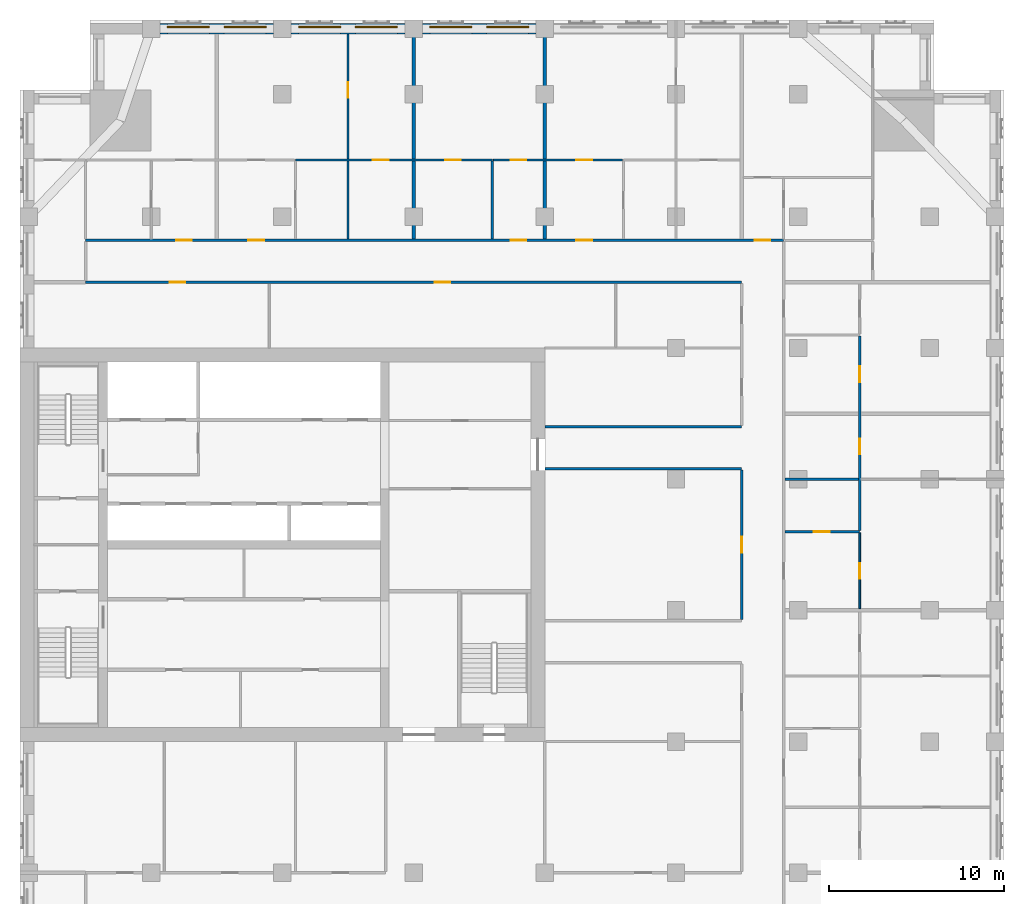
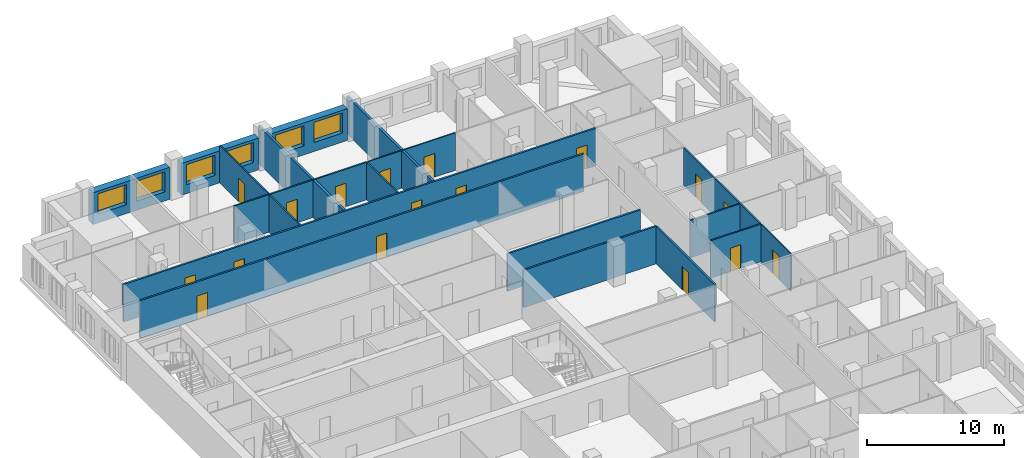
# One storey, part 9 of 13: 19 walls, 17 doors, 6 windows, 23 openings.
"""IFC4 building model written with IfcOpenShell, lengths in metres."""

from ifc_helpers import new_model, si_unit, direction, frame, frame_2d, origin, place, context, subcontext, project, spatial, rectangle, extrude, material, layer, layer_set, type_object, element, fill, save


model = new_model("IFC4")

# Units and contexts
model_context = context("Model", 3, precision=1e-05, world=origin(), true_north=direction((0.0, 1.0)))
body_context = subcontext(model_context, "Body", "Model", "MODEL_VIEW")
ifc_project = project(units=[si_unit("LENGTHUNIT", "METRE"), si_unit("AREAUNIT", "SQUARE_METRE"), si_unit("VOLUMEUNIT", "CUBIC_METRE"), si_unit("PLANEANGLEUNIT", "RADIAN"), si_unit("MASSUNIT", "GRAM", prefix="KILO")], contexts=[model_context])

# Site, building, storey
site_placement = place(None, origin())
site = spatial("IfcSite", under=ifc_project, at=site_placement, CompositionType="ELEMENT")
building_placement = place(site_placement, origin())
building = spatial("IfcBuilding", under=site, at=building_placement, Name="Tamorin Gate", CompositionType="ELEMENT")
storey_placement = place(building_placement, frame((0.0, 0.0, 130.199951171875)))
storey = spatial("IfcBuildingStorey", under=building, at=storey_placement, Name="L31", CompositionType="ELEMENT", Elevation=130.199951171875)

# Wall, openings, windows
ifc_material_1 = material(Name="Precast concrete C40/50", Category="concrete")
ifc_layer_1 = layer(ifc_material_1, 0.60009765625)
ifc_layer_set_1 = layer_set([ifc_layer_1], Name="Precast concrete C40/50")
wall_type_1 = type_object("IfcWallType", Name="Board-marked concrete facade panel 600", PredefinedType="SOLIDWALL", material=ifc_layer_set_1)
wall_1_placement = place(storey_placement, frame((59.5, 100.75, 0.0), z_axis=(0.0, 0.0, 1.0), x_axis=(-1.0, 0.0, 0.0)))
wall_1 = element("IfcWall", 1, at=wall_1_placement, inside=storey, type_object=wall_type_1, Name="Facade panel", PredefinedType="SOLIDWALL", context=body_context, shape_type="SweptSolid", body=[
    extrude(rectangle(XDim=6.5, YDim=0.60009765625, at=frame_2d((3.25, 0.0))), origin(), (0.0, 0.0, 1.0), 2.85009765625),
])
opening_1_placement = place(wall_1_placement, frame((3.675048828125, 0.0, 0.800048828125)))
opening_1 = element("IfcOpeningElement", 2, at=opening_1_placement, cuts=wall_1, Name="Opening WN1", PredefinedType="OPENING", context=body_context, shape_type="SweptSolid", body=[
    extrude(rectangle(XDim=2.39990234375, YDim=1.800048828125, at=frame_2d((1.199951171875, 0.89990234375))), frame((0.0, 0.31005859375, 0.0), z_axis=(0.0, -1.0, 0.0), x_axis=(1.0, 0.0, 0.0)), (0.0, 0.0, 1.0), 0.6201171875),
])
opening_2_placement = place(wall_1_placement, frame((0.425048828125, 0.0, 0.800048828125)))
opening_2 = element("IfcOpeningElement", 3, at=opening_2_placement, cuts=wall_1, Name="Opening WN1", PredefinedType="OPENING", context=body_context, shape_type="SweptSolid", body=[
    extrude(rectangle(XDim=2.39990234375, YDim=1.800048828125, at=frame_2d((1.199951171875, 0.89990234375))), frame((0.0, 0.31005859375, 0.0), z_axis=(0.0, -1.0, 0.0), x_axis=(1.0, 0.0, 0.0)), (0.0, 0.0, 1.0), 0.6201171875),
])
ifc_material_2 = material(Name="Clear glass in aluminium frame", Category="aluminium")
window_type = type_object("IfcWindowType", Name="Deep-set window 2400x1800", PartitioningType="SINGLE_PANEL", PredefinedType="WINDOW", material=ifc_material_2)
window_1_placement = place(opening_1_placement, origin())
window_1 = element("IfcWindow", 4, at=window_1_placement, inside=storey, type_object=window_type, Name="Deep-set window", OverallHeight=1.800048828125, OverallWidth=2.39990234375, PartitioningType="SINGLE_PANEL", PredefinedType="WINDOW", context=body_context, shape_type="SweptSolid", body=[
    extrude(rectangle(XDim=2.39990234375, YDim=1.800048828125, at=frame_2d((1.199951171875, 0.89990234375))), frame((0.0, -0.070068359375, 0.0), z_axis=(0.0, -1.0, 0.0), x_axis=(1.0, 0.0, 0.0)), (0.0, 0.0, 1.0), 0.06005859375),
])
fill(opening_1, window_1)
window_2_placement = place(opening_2_placement, origin())
window_2 = element("IfcWindow", 5, at=window_2_placement, inside=storey, type_object=window_type, Name="Deep-set window", OverallHeight=1.800048828125, OverallWidth=2.39990234375, PartitioningType="SINGLE_PANEL", PredefinedType="WINDOW", context=body_context, shape_type="SweptSolid", body=[
    extrude(rectangle(XDim=2.39990234375, YDim=1.800048828125, at=frame_2d((1.199951171875, 0.89990234375))), frame((0.0, -0.070068359375, 0.0), z_axis=(0.0, -1.0, 0.0), x_axis=(1.0, 0.0, 0.0)), (0.0, 0.0, 1.0), 0.06005859375),
])
fill(opening_2, window_2)

wall_2_placement = place(storey_placement, frame((52.0, 100.75, 0.0), z_axis=(0.0, 0.0, 1.0), x_axis=(-1.0, 0.0, 0.0)))
wall_2 = element("IfcWall", 6, at=wall_2_placement, inside=storey, type_object=wall_type_1, Name="Facade panel", PredefinedType="SOLIDWALL", context=body_context, shape_type="SweptSolid", body=[
    extrude(rectangle(XDim=6.5, YDim=0.60009765625, at=frame_2d((3.25, 0.0))), origin(), (0.0, 0.0, 1.0), 2.85009765625),
])
opening_3_placement = place(wall_2_placement, frame((3.675048828125, 0.0, 0.800048828125)))
opening_3 = element("IfcOpeningElement", 7, at=opening_3_placement, cuts=wall_2, Name="Opening WN1", PredefinedType="OPENING", context=body_context, shape_type="SweptSolid", body=[
    extrude(rectangle(XDim=2.39990234375, YDim=1.800048828125, at=frame_2d((1.199951171875, 0.89990234375))), frame((0.0, 0.31005859375, 0.0), z_axis=(0.0, -1.0, 0.0), x_axis=(1.0, 0.0, 0.0)), (0.0, 0.0, 1.0), 0.6201171875),
])
opening_4_placement = place(wall_2_placement, frame((0.425048828125, 0.0, 0.800048828125)))
opening_4 = element("IfcOpeningElement", 8, at=opening_4_placement, cuts=wall_2, Name="Opening WN1", PredefinedType="OPENING", context=body_context, shape_type="SweptSolid", body=[
    extrude(rectangle(XDim=2.39990234375, YDim=1.800048828125, at=frame_2d((1.199951171875, 0.89990234375))), frame((0.0, 0.31005859375, 0.0), z_axis=(0.0, -1.0, 0.0), x_axis=(1.0, 0.0, 0.0)), (0.0, 0.0, 1.0), 0.6201171875),
])
window_3_placement = place(opening_3_placement, origin())
window_3 = element("IfcWindow", 9, at=window_3_placement, inside=storey, type_object=window_type, Name="Deep-set window", OverallHeight=1.800048828125, OverallWidth=2.39990234375, PartitioningType="SINGLE_PANEL", PredefinedType="WINDOW", context=body_context, shape_type="SweptSolid", body=[
    extrude(rectangle(XDim=2.39990234375, YDim=1.800048828125, at=frame_2d((1.199951171875, 0.89990234375))), frame((0.0, -0.070068359375, 0.0), z_axis=(0.0, -1.0, 0.0), x_axis=(1.0, 0.0, 0.0)), (0.0, 0.0, 1.0), 0.06005859375),
])
fill(opening_3, window_3)
window_4_placement = place(opening_4_placement, origin())
window_4 = element("IfcWindow", 10, at=window_4_placement, inside=storey, type_object=window_type, Name="Deep-set window", OverallHeight=1.800048828125, OverallWidth=2.39990234375, PartitioningType="SINGLE_PANEL", PredefinedType="WINDOW", context=body_context, shape_type="SweptSolid", body=[
    extrude(rectangle(XDim=2.39990234375, YDim=1.800048828125, at=frame_2d((1.199951171875, 0.89990234375))), frame((0.0, -0.070068359375, 0.0), z_axis=(0.0, -1.0, 0.0), x_axis=(1.0, 0.0, 0.0)), (0.0, 0.0, 1.0), 0.06005859375),
])
fill(opening_4, window_4)

wall_3_placement = place(storey_placement, frame((44.5, 100.75, 0.0), z_axis=(0.0, 0.0, 1.0), x_axis=(-1.0, 0.0, 0.0)))
wall_3 = element("IfcWall", 11, at=wall_3_placement, inside=storey, type_object=wall_type_1, Name="Facade panel", PredefinedType="SOLIDWALL", context=body_context, shape_type="SweptSolid", body=[
    extrude(rectangle(XDim=6.5, YDim=0.60009765625, at=frame_2d((3.25, 0.0))), origin(), (0.0, 0.0, 1.0), 2.85009765625),
])
opening_5_placement = place(wall_3_placement, frame((3.675048828125, 0.0, 0.800048828125)))
opening_5 = element("IfcOpeningElement", 12, at=opening_5_placement, cuts=wall_3, Name="Opening WN1", PredefinedType="OPENING", context=body_context, shape_type="SweptSolid", body=[
    extrude(rectangle(XDim=2.39990234375, YDim=1.800048828125, at=frame_2d((1.199951171875, 0.89990234375))), frame((0.0, 0.31005859375, 0.0), z_axis=(0.0, -1.0, 0.0), x_axis=(1.0, 0.0, 0.0)), (0.0, 0.0, 1.0), 0.6201171875),
])
opening_6_placement = place(wall_3_placement, frame((0.425048828125, 0.0, 0.800048828125)))
opening_6 = element("IfcOpeningElement", 13, at=opening_6_placement, cuts=wall_3, Name="Opening WN1", PredefinedType="OPENING", context=body_context, shape_type="SweptSolid", body=[
    extrude(rectangle(XDim=2.39990234375, YDim=1.800048828125, at=frame_2d((1.199951171875, 0.89990234375))), frame((0.0, 0.31005859375, 0.0), z_axis=(0.0, -1.0, 0.0), x_axis=(1.0, 0.0, 0.0)), (0.0, 0.0, 1.0), 0.6201171875),
])
window_5_placement = place(opening_5_placement, origin())
window_5 = element("IfcWindow", 14, at=window_5_placement, inside=storey, type_object=window_type, Name="Deep-set window", OverallHeight=1.800048828125, OverallWidth=2.39990234375, PartitioningType="SINGLE_PANEL", PredefinedType="WINDOW", context=body_context, shape_type="SweptSolid", body=[
    extrude(rectangle(XDim=2.39990234375, YDim=1.800048828125, at=frame_2d((1.199951171875, 0.89990234375))), frame((0.0, -0.070068359375, 0.0), z_axis=(0.0, -1.0, 0.0), x_axis=(1.0, 0.0, 0.0)), (0.0, 0.0, 1.0), 0.06005859375),
])
fill(opening_5, window_5)
window_6_placement = place(opening_6_placement, origin())
window_6 = element("IfcWindow", 15, at=window_6_placement, inside=storey, type_object=window_type, Name="Deep-set window", OverallHeight=1.800048828125, OverallWidth=2.39990234375, PartitioningType="SINGLE_PANEL", PredefinedType="WINDOW", context=body_context, shape_type="SweptSolid", body=[
    extrude(rectangle(XDim=2.39990234375, YDim=1.800048828125, at=frame_2d((1.199951171875, 0.89990234375))), frame((0.0, -0.070068359375, 0.0), z_axis=(0.0, -1.0, 0.0), x_axis=(1.0, 0.0, 0.0)), (0.0, 0.0, 1.0), 0.06005859375),
])
fill(opening_6, window_6)

# Wall, openings, doors
ifc_material_3 = material(Name="Gypsum board partition")
ifc_layer_2 = layer(ifc_material_3, 0.14990234375)
ifc_layer_set_2 = layer_set([ifc_layer_2], Name="Corridor wall 150")
wall_type_2 = type_object("IfcWallType", Name="Corridor wall 150", PredefinedType="PARTITIONING", material=ifc_layer_set_2)
wall_4_placement = place(storey_placement, frame((33.75, 86.25, 0.0), z_axis=(0.0, 0.0, 1.0), x_axis=(1.0, 0.0, 0.0)))
wall_4 = element("IfcWall", 16, at=wall_4_placement, inside=storey, type_object=wall_type_2, Name="Corridor wall 150", PredefinedType="PARTITIONING", context=body_context, shape_type="SweptSolid", body=[
    extrude(rectangle(XDim=37.5, YDim=0.14990234375, at=frame_2d((18.75, 0.0))), origin(), (0.0, 0.0, 1.0), 3.35009765625),
])
opening_7_placement = place(wall_4_placement, frame((4.800048828125, 0.0, 0.0)))
opening_7 = element("IfcOpeningElement", 17, at=opening_7_placement, cuts=wall_4, Name="Opening DS1067", PredefinedType="OPENING", context=body_context, shape_type="SweptSolid", body=[
    extrude(rectangle(XDim=0.89990234375, YDim=2.10009765625, at=frame_2d((0.449951171875, 1.050048828125))), frame((0.0, 0.0849609375, 0.0), z_axis=(0.0, -1.0, 0.0), x_axis=(1.0, 0.0, 0.0)), (0.0, 0.0, 1.0), 0.169921875),
])
opening_8_placement = place(wall_4_placement, frame((19.949951171875, 0.0, 0.0)))
opening_8 = element("IfcOpeningElement", 18, at=opening_8_placement, cuts=wall_4, Name="Opening DS1068", PredefinedType="OPENING", context=body_context, shape_type="SweptSolid", body=[
    extrude(rectangle(XDim=0.89990234375, YDim=2.10009765625, at=frame_2d((0.449951171875, 1.050048828125))), frame((0.0, 0.0849609375, 0.0), z_axis=(0.0, -1.0, 0.0), x_axis=(1.0, 0.0, 0.0)), (0.0, 0.0, 1.0), 0.169921875),
])
ifc_material_4 = material(Name="Timber door leaf", Category="wood")
door_type_1 = type_object("IfcDoorType", Name="Door 900 x 2100 FD30S", OperationType="NOTDEFINED", PredefinedType="DOOR", material=ifc_material_4)
door_1_placement = place(opening_7_placement, origin())
door_1 = element("IfcDoor", 19, at=door_1_placement, inside=storey, type_object=door_type_1, Name="Door DS1067", OperationType="SINGLE_SWING_RIGHT", OverallHeight=2.10009765625, OverallWidth=0.89990234375, PredefinedType="DOOR", context=body_context, shape_type="SweptSolid", body=[
    extrude(rectangle(XDim=0.89990234375, YDim=2.10009765625, at=frame_2d((0.449951171875, 1.050048828125))), frame((0.0, 0.02490234375, 0.0), z_axis=(0.0, -1.0, 0.0), x_axis=(1.0, 0.0, 0.0)), (0.0, 0.0, 1.0), 0.050048828125),
])
fill(opening_7, door_1)
door_2_placement = place(opening_8_placement, origin())
door_2 = element("IfcDoor", 20, at=door_2_placement, inside=storey, type_object=door_type_1, Name="Door DS1068", OperationType="SINGLE_SWING_RIGHT", OverallHeight=2.10009765625, OverallWidth=0.89990234375, PredefinedType="DOOR", context=body_context, shape_type="SweptSolid", body=[
    extrude(rectangle(XDim=0.89990234375, YDim=2.10009765625, at=frame_2d((0.449951171875, 1.050048828125))), frame((0.0, 0.02490234375, 0.0), z_axis=(0.0, -1.0, 0.0), x_axis=(1.0, 0.0, 0.0)), (0.0, 0.0, 1.0), 0.050048828125),
])
fill(opening_8, door_2)

wall_5_placement = place(storey_placement, frame((33.75, 88.64990234375, 0.0), z_axis=(0.0, 0.0, 1.0), x_axis=(1.0, 0.0, 0.0)))
wall_5 = element("IfcWall", 21, at=wall_5_placement, inside=storey, type_object=wall_type_2, Name="Corridor wall 150", PredefinedType="PARTITIONING", context=body_context, shape_type="SweptSolid", body=[
    extrude(rectangle(XDim=39.89990234375, YDim=0.14990234375, at=frame_2d((19.949951171875, 0.0))), origin(), (0.0, 0.0, 1.0), 3.35009765625),
])
opening_9_placement = place(wall_5_placement, frame((5.175048828125, 0.0, 0.0)))
opening_9 = element("IfcOpeningElement", 22, at=opening_9_placement, cuts=wall_5, Name="Opening DS1021", PredefinedType="OPENING", context=body_context, shape_type="SweptSolid", body=[
    extrude(rectangle(XDim=0.89990234375, YDim=2.10009765625, at=frame_2d((0.449951171875, 1.050048828125))), frame((0.0, 0.0849609375, 0.0), z_axis=(0.0, -1.0, 0.0), x_axis=(1.0, 0.0, 0.0)), (0.0, 0.0, 1.0), 0.169921875),
])
opening_10_placement = place(wall_5_placement, frame((9.300048828125, 0.0, 0.0)))
opening_10 = element("IfcOpeningElement", 23, at=opening_10_placement, cuts=wall_5, Name="Opening DS1023", PredefinedType="OPENING", context=body_context, shape_type="SweptSolid", body=[
    extrude(rectangle(XDim=0.89990234375, YDim=2.10009765625, at=frame_2d((0.449951171875, 1.050048828125))), frame((0.0, 0.0849609375, 0.0), z_axis=(0.0, -1.0, 0.0), x_axis=(1.0, 0.0, 0.0)), (0.0, 0.0, 1.0), 0.169921875),
])
opening_11_placement = place(wall_5_placement, frame((24.300048828125, 0.0, 0.0)))
opening_11 = element("IfcOpeningElement", 24, at=opening_11_placement, cuts=wall_5, Name="Opening DS1029", PredefinedType="OPENING", context=body_context, shape_type="SweptSolid", body=[
    extrude(rectangle(XDim=0.89990234375, YDim=2.10009765625, at=frame_2d((0.449951171875, 1.050048828125))), frame((0.0, 0.0849609375, 0.0), z_axis=(0.0, -1.0, 0.0), x_axis=(1.0, 0.0, 0.0)), (0.0, 0.0, 1.0), 0.169921875),
])
opening_12_placement = place(wall_5_placement, frame((28.050048828125, 0.0, 0.0)))
opening_12 = element("IfcOpeningElement", 25, at=opening_12_placement, cuts=wall_5, Name="Opening DS1031", PredefinedType="OPENING", context=body_context, shape_type="SweptSolid", body=[
    extrude(rectangle(XDim=0.89990234375, YDim=2.10009765625, at=frame_2d((0.449951171875, 1.050048828125))), frame((0.0, 0.0849609375, 0.0), z_axis=(0.0, -1.0, 0.0), x_axis=(1.0, 0.0, 0.0)), (0.0, 0.0, 1.0), 0.169921875),
])
opening_13_placement = place(wall_5_placement, frame((38.25, 0.0, 0.0)))
opening_13 = element("IfcOpeningElement", 26, at=opening_13_placement, cuts=wall_5, Name="Opening DS1057", PredefinedType="OPENING", context=body_context, shape_type="SweptSolid", body=[
    extrude(rectangle(XDim=0.89990234375, YDim=2.10009765625, at=frame_2d((0.449951171875, 1.050048828125))), frame((0.0, 0.0849609375, 0.0), z_axis=(0.0, -1.0, 0.0), x_axis=(1.0, 0.0, 0.0)), (0.0, 0.0, 1.0), 0.169921875),
])
door_3_placement = place(opening_9_placement, origin())
door_3 = element("IfcDoor", 27, at=door_3_placement, inside=storey, type_object=door_type_1, Name="Door DS1021", OperationType="SINGLE_SWING_LEFT", OverallHeight=2.10009765625, OverallWidth=0.89990234375, PredefinedType="DOOR", context=body_context, shape_type="SweptSolid", body=[
    extrude(rectangle(XDim=0.89990234375, YDim=2.10009765625, at=frame_2d((0.449951171875, 1.050048828125))), frame((0.0, 0.02490234375, 0.0), z_axis=(0.0, -1.0, 0.0), x_axis=(1.0, 0.0, 0.0)), (0.0, 0.0, 1.0), 0.050048828125),
])
fill(opening_9, door_3)
door_4_placement = place(opening_10_placement, origin())
door_4 = element("IfcDoor", 28, at=door_4_placement, inside=storey, type_object=door_type_1, Name="Door DS1023", OperationType="SINGLE_SWING_LEFT", OverallHeight=2.10009765625, OverallWidth=0.89990234375, PredefinedType="DOOR", context=body_context, shape_type="SweptSolid", body=[
    extrude(rectangle(XDim=0.89990234375, YDim=2.10009765625, at=frame_2d((0.449951171875, 1.050048828125))), frame((0.0, 0.02490234375, 0.0), z_axis=(0.0, -1.0, 0.0), x_axis=(1.0, 0.0, 0.0)), (0.0, 0.0, 1.0), 0.050048828125),
])
fill(opening_10, door_4)
door_5_placement = place(opening_11_placement, origin())
door_5 = element("IfcDoor", 29, at=door_5_placement, inside=storey, type_object=door_type_1, Name="Door DS1029", OperationType="SINGLE_SWING_LEFT", OverallHeight=2.10009765625, OverallWidth=0.89990234375, PredefinedType="DOOR", context=body_context, shape_type="SweptSolid", body=[
    extrude(rectangle(XDim=0.89990234375, YDim=2.10009765625, at=frame_2d((0.449951171875, 1.050048828125))), frame((0.0, 0.02490234375, 0.0), z_axis=(0.0, -1.0, 0.0), x_axis=(1.0, 0.0, 0.0)), (0.0, 0.0, 1.0), 0.050048828125),
])
fill(opening_11, door_5)
door_6_placement = place(opening_12_placement, origin())
door_6 = element("IfcDoor", 30, at=door_6_placement, inside=storey, type_object=door_type_1, Name="Door DS1031", OperationType="SINGLE_SWING_LEFT", OverallHeight=2.10009765625, OverallWidth=0.89990234375, PredefinedType="DOOR", context=body_context, shape_type="SweptSolid", body=[
    extrude(rectangle(XDim=0.89990234375, YDim=2.10009765625, at=frame_2d((0.449951171875, 1.050048828125))), frame((0.0, 0.02490234375, 0.0), z_axis=(0.0, -1.0, 0.0), x_axis=(1.0, 0.0, 0.0)), (0.0, 0.0, 1.0), 0.050048828125),
])
fill(opening_12, door_6)
door_7_placement = place(opening_13_placement, origin())
door_7 = element("IfcDoor", 31, at=door_7_placement, inside=storey, type_object=door_type_1, Name="Door DS1057", OperationType="SINGLE_SWING_RIGHT", OverallHeight=2.10009765625, OverallWidth=0.89990234375, PredefinedType="DOOR", context=body_context, shape_type="SweptSolid", body=[
    extrude(rectangle(XDim=0.89990234375, YDim=2.10009765625, at=frame_2d((0.449951171875, 1.050048828125))), frame((0.0, 0.02490234375, 0.0), z_axis=(0.0, -1.0, 0.0), x_axis=(1.0, 0.0, 0.0)), (0.0, 0.0, 1.0), 0.050048828125),
])
fill(opening_13, door_7)

# Wall, opening, door
wall_6_placement = place(storey_placement, frame((71.25, 66.97509765625, 0.0), z_axis=(0.0, 0.0, 1.0), x_axis=(0.0, 1.0, 0.0)))
wall_6 = element("IfcWall", 32, at=wall_6_placement, inside=storey, type_object=wall_type_2, Name="Corridor wall 150", PredefinedType="PARTITIONING", context=body_context, shape_type="SweptSolid", body=[
    extrude(rectangle(XDim=8.5498046875, YDim=0.14990234375, at=frame_2d((4.27490234375, 0.0))), origin(), (0.0, 0.0, 1.0), 3.35009765625),
])
opening_14_placement = place(wall_6_placement, frame((3.824951171875, 0.0, 0.0)))
opening_14 = element("IfcOpeningElement", 33, at=opening_14_placement, cuts=wall_6, Name="Opening DS1071", PredefinedType="OPENING", context=body_context, shape_type="SweptSolid", body=[
    extrude(rectangle(XDim=0.89990234375, YDim=2.10009765625, at=frame_2d((0.449951171875, 1.050048828125))), frame((0.0, 0.0849609375, 0.0), z_axis=(0.0, -1.0, 0.0), x_axis=(1.0, 0.0, 0.0)), (0.0, 0.0, 1.0), 0.169921875),
])
door_8_placement = place(opening_14_placement, origin())
door_8 = element("IfcDoor", 34, at=door_8_placement, inside=storey, type_object=door_type_1, Name="Door DS1071", OperationType="SINGLE_SWING_LEFT", OverallHeight=2.10009765625, OverallWidth=0.89990234375, PredefinedType="DOOR", context=body_context, shape_type="SweptSolid", body=[
    extrude(rectangle(XDim=0.89990234375, YDim=2.10009765625, at=frame_2d((0.449951171875, 1.050048828125))), frame((0.0, 0.02490234375, 0.0), z_axis=(0.0, -1.0, 0.0), x_axis=(1.0, 0.0, 0.0)), (0.0, 0.0, 1.0), 0.050048828125),
])
fill(opening_14, door_8)

# Walls
ifc_layer_3 = layer(ifc_material_3, 0.199951171875)
ifc_layer_set_3 = layer_set([ifc_layer_3], Name="Demising wall 200")
wall_type_3 = type_object("IfcWallType", Name="Demising wall 200", PredefinedType="PARTITIONING", material=ifc_layer_set_3)
for number, where, z_axis, x_axis, name in (
    (35, (52.5, 88.72509765625, 0.0), (0.0, 0.0, 1.0), (0.0, 1.0, 0.0), "Demising wall 200"),
    (36, (60.0, 88.72509765625, 0.0), (0.0, 0.0, 1.0), (0.0, 1.0, 0.0), "Demising wall 200"),
):
    element("IfcWall", number, at=place(storey_placement, frame(where, z_axis=z_axis, x_axis=x_axis)), inside=storey, type_object=wall_type_3, Name=name, PredefinedType="PARTITIONING", context=body_context, shape_type="SweptSolid", body=[
        extrude(rectangle(XDim=12.52490234375, YDim=0.199951171875, at=frame_2d((6.262451171875, 0.0))), origin(), (0.0, 0.0, 1.0), 3.35009765625),
    ])
ifc_layer_4 = layer(ifc_material_3, 0.14990234375)
ifc_layer_set_4 = layer_set([ifc_layer_4], Name="Lobby wall 150")
wall_type_4 = type_object("IfcWallType", Name="Lobby wall 150", PredefinedType="PARTITIONING", material=ifc_layer_set_4)
for number, where, z_axis, x_axis, name in (
    (37, (60.0, 75.60009765625, 0.0), (0.0, 0.0, 1.0), (1.0, 0.0, 0.0), "Lobby wall 150"),
    (38, (60.0, 78.0, 0.0), (0.0, 0.0, 1.0), (1.0, 0.0, 0.0), "Lobby wall 150"),
):
    element("IfcWall", number, at=place(storey_placement, frame(where, z_axis=z_axis, x_axis=x_axis)), inside=storey, type_object=wall_type_4, Name=name, PredefinedType="PARTITIONING", context=body_context, shape_type="SweptSolid", body=[
        extrude(rectangle(XDim=11.25, YDim=0.14990234375, at=frame_2d((5.625, 0.0))), origin(), (0.0, 0.0, 1.0), 3.35009765625),
    ])

# Wall, openings, doors
ifc_layer_5 = layer(ifc_material_3, 0.10009765625)
ifc_layer_set_5 = layer_set([ifc_layer_5], Name="Room partition 100")
wall_type_5 = type_object("IfcWallType", Name="Room partition 100", PredefinedType="PARTITIONING", material=ifc_layer_set_5)
wall_7_placement = place(storey_placement, frame((57.0625, 93.25, 0.0), z_axis=(0.0, 0.0, 1.0), x_axis=(1.0, 0.0, 0.0)))
wall_7 = element("IfcWall", 39, at=wall_7_placement, inside=storey, type_object=wall_type_5, Name="Room partition 100", PredefinedType="PARTITIONING", context=body_context, shape_type="SweptSolid", body=[
    extrude(rectangle(XDim=7.375, YDim=0.10009765625, at=frame_2d((3.6875, 0.0))), origin(), (0.0, 0.0, 1.0), 3.35009765625),
])
opening_15_placement = place(wall_7_placement, frame((0.987548828125, 0.0, 0.0)))
opening_15 = element("IfcOpeningElement", 40, at=opening_15_placement, cuts=wall_7, Name="Opening DS1030", PredefinedType="OPENING", context=body_context, shape_type="SweptSolid", body=[
    extrude(rectangle(XDim=0.89990234375, YDim=2.10009765625, at=frame_2d((0.449951171875, 1.050048828125))), frame((0.0, 0.06005859375, 0.0), z_axis=(0.0, -1.0, 0.0), x_axis=(1.0, 0.0, 0.0)), (0.0, 0.0, 1.0), 0.1201171875),
])
opening_16_placement = place(wall_7_placement, frame((4.737548828125, 0.0, 0.0)))
opening_16 = element("IfcOpeningElement", 41, at=opening_16_placement, cuts=wall_7, Name="Opening DS1032", PredefinedType="OPENING", context=body_context, shape_type="SweptSolid", body=[
    extrude(rectangle(XDim=0.89990234375, YDim=2.10009765625, at=frame_2d((0.449951171875, 1.050048828125))), frame((0.0, 0.06005859375, 0.0), z_axis=(0.0, -1.0, 0.0), x_axis=(1.0, 0.0, 0.0)), (0.0, 0.0, 1.0), 0.1201171875),
])
door_type_2 = type_object("IfcDoorType", Name="Door 900 x 2100", OperationType="NOTDEFINED", PredefinedType="DOOR", material=ifc_material_4)
door_9_placement = place(opening_15_placement, origin())
door_9 = element("IfcDoor", 42, at=door_9_placement, inside=storey, type_object=door_type_2, Name="Door DS1030", OperationType="SINGLE_SWING_RIGHT", OverallHeight=2.10009765625, OverallWidth=0.89990234375, PredefinedType="DOOR", context=body_context, shape_type="SweptSolid", body=[
    extrude(rectangle(XDim=0.89990234375, YDim=2.10009765625, at=frame_2d((0.449951171875, 1.050048828125))), frame((0.0, 0.02490234375, 0.0), z_axis=(0.0, -1.0, 0.0), x_axis=(1.0, 0.0, 0.0)), (0.0, 0.0, 1.0), 0.050048828125),
])
fill(opening_15, door_9)
door_10_placement = place(opening_16_placement, origin())
door_10 = element("IfcDoor", 43, at=door_10_placement, inside=storey, type_object=door_type_2, Name="Door DS1032", OperationType="SINGLE_SWING_RIGHT", OverallHeight=2.10009765625, OverallWidth=0.89990234375, PredefinedType="DOOR", context=body_context, shape_type="SweptSolid", body=[
    extrude(rectangle(XDim=0.89990234375, YDim=2.10009765625, at=frame_2d((0.449951171875, 1.050048828125))), frame((0.0, 0.02490234375, 0.0), z_axis=(0.0, -1.0, 0.0), x_axis=(1.0, 0.0, 0.0)), (0.0, 0.0, 1.0), 0.050048828125),
])
fill(opening_16, door_10)

# Wall, opening, door
wall_8_placement = place(storey_placement, frame((48.75, 93.3125, 0.0), z_axis=(0.0, 0.0, 1.0), x_axis=(0.0, 1.0, 0.0)))
wall_8 = element("IfcWall", 44, at=wall_8_placement, inside=storey, type_object=wall_type_5, Name="Room partition 100", PredefinedType="PARTITIONING", context=body_context, shape_type="SweptSolid", body=[
    extrude(rectangle(XDim=7.12744140625, YDim=0.10009765625, at=frame_2d((3.563720703125, 0.0))), origin(), (0.0, 0.0, 1.0), 3.35009765625),
])
opening_17_placement = place(wall_8_placement, frame((3.487548828125, 0.0, 0.0)))
opening_17 = element("IfcOpeningElement", 45, at=opening_17_placement, cuts=wall_8, Name="Opening DS1027", PredefinedType="OPENING", context=body_context, shape_type="SweptSolid", body=[
    extrude(rectangle(XDim=0.89990234375, YDim=2.10009765625, at=frame_2d((0.449951171875, 1.050048828125))), frame((0.0, 0.06005859375, 0.0), z_axis=(0.0, -1.0, 0.0), x_axis=(1.0, 0.0, 0.0)), (0.0, 0.0, 1.0), 0.1201171875),
])
door_11_placement = place(opening_17_placement, origin())
door_11 = element("IfcDoor", 46, at=door_11_placement, inside=storey, type_object=door_type_2, Name="Door DS1027", OperationType="SINGLE_SWING_LEFT", OverallHeight=2.10009765625, OverallWidth=0.89990234375, PredefinedType="DOOR", context=body_context, shape_type="SweptSolid", body=[
    extrude(rectangle(XDim=0.89990234375, YDim=2.10009765625, at=frame_2d((0.449951171875, 1.050048828125))), frame((0.0, 0.02490234375, 0.0), z_axis=(0.0, -1.0, 0.0), x_axis=(1.0, 0.0, 0.0)), (0.0, 0.0, 1.0), 0.050048828125),
])
fill(opening_17, door_11)

wall_9_placement = place(storey_placement, frame((78.0, 67.60009765625, 0.0), z_axis=(0.0, 0.0, 1.0), x_axis=(0.0, 1.0, 0.0)))
wall_9 = element("IfcWall", 47, at=wall_9_placement, inside=storey, type_object=wall_type_5, Name="Room partition 100", PredefinedType="PARTITIONING", context=body_context, shape_type="SweptSolid", body=[
    extrude(rectangle(XDim=4.33740234375, YDim=0.10009765625, at=frame_2d((2.168701171875, 0.0))), origin(), (0.0, 0.0, 1.0), 3.35009765625),
])
opening_18_placement = place(wall_9_placement, frame((1.699951171875, 0.0, 0.0)))
opening_18 = element("IfcOpeningElement", 48, at=opening_18_placement, cuts=wall_9, Name="Opening DS1044", PredefinedType="OPENING", context=body_context, shape_type="SweptSolid", body=[
    extrude(rectangle(XDim=0.89990234375, YDim=2.10009765625, at=frame_2d((0.449951171875, 1.050048828125))), frame((0.0, 0.06005859375, 0.0), z_axis=(0.0, -1.0, 0.0), x_axis=(1.0, 0.0, 0.0)), (0.0, 0.0, 1.0), 0.1201171875),
])
door_12_placement = place(opening_18_placement, origin())
door_12 = element("IfcDoor", 49, at=door_12_placement, inside=storey, type_object=door_type_2, Name="Door DS1044", OperationType="SINGLE_SWING_LEFT", OverallHeight=2.10009765625, OverallWidth=0.89990234375, PredefinedType="DOOR", context=body_context, shape_type="SweptSolid", body=[
    extrude(rectangle(XDim=0.89990234375, YDim=2.10009765625, at=frame_2d((0.449951171875, 1.050048828125))), frame((0.0, 0.02490234375, 0.0), z_axis=(0.0, -1.0, 0.0), x_axis=(1.0, 0.0, 0.0)), (0.0, 0.0, 1.0), 0.050048828125),
])
fill(opening_18, door_12)

ifc_layer_6 = layer(ifc_material_3, 0.125)
ifc_layer_set_6 = layer_set([ifc_layer_6], Name="Wet wall 125")
wall_type_6 = type_object("IfcWallType", Name="Wet wall 125", PredefinedType="PARTITIONING", material=ifc_layer_set_6)
wall_10_placement = place(storey_placement, frame((73.72509765625, 72.0, 0.0), z_axis=(0.0, 0.0, 1.0), x_axis=(1.0, 0.0, 0.0)))
wall_10 = element("IfcWall", 50, at=wall_10_placement, inside=storey, type_object=wall_type_6, Name="Wet wall 125", PredefinedType="PARTITIONING", context=body_context, shape_type="SweptSolid", body=[
    extrude(rectangle(XDim=4.27490234375, YDim=0.125, at=frame_2d((2.137451171875, 0.0))), origin(), (0.0, 0.0, 1.0), 3.35009765625),
])
opening_19_placement = place(wall_10_placement, frame((1.64990234375, 0.0, 0.0)))
opening_19 = element("IfcOpeningElement", 51, at=opening_19_placement, cuts=wall_10, Name="Opening DS1045", PredefinedType="OPENING", context=body_context, shape_type="SweptSolid", body=[
    extrude(rectangle(XDim=0.89990234375, YDim=2.10009765625, at=frame_2d((0.449951171875, 1.050048828125))), frame((0.0, 0.072509765625, 0.0), z_axis=(0.0, -1.0, 0.0), x_axis=(1.0, 0.0, 0.0)), (0.0, 0.0, 1.0), 0.14501953125),
])
door_13_placement = place(opening_19_placement, origin())
door_13 = element("IfcDoor", 52, at=door_13_placement, inside=storey, type_object=door_type_2, Name="Door DS1045", OperationType="SINGLE_SWING_RIGHT", OverallHeight=2.10009765625, OverallWidth=0.89990234375, PredefinedType="DOOR", context=body_context, shape_type="SweptSolid", body=[
    extrude(rectangle(XDim=0.89990234375, YDim=2.10009765625, at=frame_2d((0.449951171875, 1.050048828125))), frame((0.0, 0.02490234375, 0.0), z_axis=(0.0, -1.0, 0.0), x_axis=(1.0, 0.0, 0.0)), (0.0, 0.0, 1.0), 0.050048828125),
])
fill(opening_19, door_13)

# Wall
wall_11_placement = place(storey_placement, frame((73.72509765625, 75.0, 0.0), z_axis=(0.0, 0.0, 1.0), x_axis=(1.0, 0.0, 0.0)))
element("IfcWall", 53, at=wall_11_placement, inside=storey, type_object=wall_type_6, Name="Wet wall 125", PredefinedType="PARTITIONING", context=body_context, shape_type="SweptSolid", body=[
    extrude(rectangle(XDim=4.21240234375, YDim=0.125, at=frame_2d((2.106201171875, 0.0))), origin(), (0.0, 0.0, 1.0), 3.35009765625),
])

# Wall, openings, doors
wall_12_placement = place(storey_placement, frame((45.75, 93.25, 0.0), z_axis=(0.0, 0.0, 1.0), x_axis=(1.0, 0.0, 0.0)))
wall_12 = element("IfcWall", 54, at=wall_12_placement, inside=storey, type_object=wall_type_6, Name="Wet wall 125", PredefinedType="PARTITIONING", context=body_context, shape_type="SweptSolid", body=[
    extrude(rectangle(XDim=11.25, YDim=0.125, at=frame_2d((5.625, 0.0))), origin(), (0.0, 0.0, 1.0), 3.35009765625),
])
opening_20_placement = place(wall_12_placement, frame((4.425048828125, 0.0, 0.0)))
opening_20 = element("IfcOpeningElement", 55, at=opening_20_placement, cuts=wall_12, Name="Opening DS1026", PredefinedType="OPENING", context=body_context, shape_type="SweptSolid", body=[
    extrude(rectangle(XDim=0.89990234375, YDim=2.10009765625, at=frame_2d((0.449951171875, 1.050048828125))), frame((0.0, 0.072509765625, 0.0), z_axis=(0.0, -1.0, 0.0), x_axis=(1.0, 0.0, 0.0)), (0.0, 0.0, 1.0), 0.14501953125),
])
opening_21_placement = place(wall_12_placement, frame((8.550048828125, 0.0, 0.0)))
opening_21 = element("IfcOpeningElement", 56, at=opening_21_placement, cuts=wall_12, Name="Opening DS1028", PredefinedType="OPENING", context=body_context, shape_type="SweptSolid", body=[
    extrude(rectangle(XDim=0.89990234375, YDim=2.10009765625, at=frame_2d((0.449951171875, 1.050048828125))), frame((0.0, 0.072509765625, 0.0), z_axis=(0.0, -1.0, 0.0), x_axis=(1.0, 0.0, 0.0)), (0.0, 0.0, 1.0), 0.14501953125),
])
door_14_placement = place(opening_20_placement, origin())
door_14 = element("IfcDoor", 57, at=door_14_placement, inside=storey, type_object=door_type_2, Name="Door DS1026", OperationType="SINGLE_SWING_RIGHT", OverallHeight=2.10009765625, OverallWidth=0.89990234375, PredefinedType="DOOR", context=body_context, shape_type="SweptSolid", body=[
    extrude(rectangle(XDim=0.89990234375, YDim=2.10009765625, at=frame_2d((0.449951171875, 1.050048828125))), frame((0.0, 0.02490234375, 0.0), z_axis=(0.0, -1.0, 0.0), x_axis=(1.0, 0.0, 0.0)), (0.0, 0.0, 1.0), 0.050048828125),
])
fill(opening_20, door_14)
door_15_placement = place(opening_21_placement, origin())
door_15 = element("IfcDoor", 58, at=door_15_placement, inside=storey, type_object=door_type_2, Name="Door DS1028", OperationType="SINGLE_SWING_RIGHT", OverallHeight=2.10009765625, OverallWidth=0.89990234375, PredefinedType="DOOR", context=body_context, shape_type="SweptSolid", body=[
    extrude(rectangle(XDim=0.89990234375, YDim=2.10009765625, at=frame_2d((0.449951171875, 1.050048828125))), frame((0.0, 0.02490234375, 0.0), z_axis=(0.0, -1.0, 0.0), x_axis=(1.0, 0.0, 0.0)), (0.0, 0.0, 1.0), 0.050048828125),
])
fill(opening_21, door_15)

# Walls
for number, where, z_axis, x_axis, name in (
    (59, (48.75, 88.72509765625, 0.0), (0.0, 0.0, 1.0), (0.0, 1.0, 0.0), "Wet wall 125"),
    (60, (57.0, 88.72509765625, 0.0), (0.0, 0.0, 1.0), (0.0, 1.0, 0.0), "Wet wall 125"),
):
    element("IfcWall", number, at=place(storey_placement, frame(where, z_axis=z_axis, x_axis=x_axis)), inside=storey, type_object=wall_type_6, Name=name, PredefinedType="PARTITIONING", context=body_context, shape_type="SweptSolid", body=[
        extrude(rectangle(XDim=4.46240234375, YDim=0.125, at=frame_2d((2.231201171875, 0.0))), origin(), (0.0, 0.0, 1.0), 3.35009765625),
    ])

# Wall, openings, doors
wall_13_placement = place(storey_placement, frame((78.0, 72.0625, 0.0), z_axis=(0.0, 0.0, 1.0), x_axis=(0.0, 1.0, 0.0)))
wall_13 = element("IfcWall", 61, at=wall_13_placement, inside=storey, type_object=wall_type_6, Name="Wet wall 125", PredefinedType="PARTITIONING", context=body_context, shape_type="SweptSolid", body=[
    extrude(rectangle(XDim=11.125, YDim=0.125, at=frame_2d((5.5625, 0.0))), origin(), (0.0, 0.0, 1.0), 3.35009765625),
])
opening_22_placement = place(wall_13_placement, frame((4.362548828125, 0.0, 0.0)))
opening_22 = element("IfcOpeningElement", 62, at=opening_22_placement, cuts=wall_13, Name="Opening DS1046", PredefinedType="OPENING", context=body_context, shape_type="SweptSolid", body=[
    extrude(rectangle(XDim=0.89990234375, YDim=2.10009765625, at=frame_2d((0.449951171875, 1.050048828125))), frame((0.0, 0.072509765625, 0.0), z_axis=(0.0, -1.0, 0.0), x_axis=(1.0, 0.0, 0.0)), (0.0, 0.0, 1.0), 0.14501953125),
])
opening_23_placement = place(wall_13_placement, frame((8.487548828125, 0.0, 0.0)))
opening_23 = element("IfcOpeningElement", 63, at=opening_23_placement, cuts=wall_13, Name="Opening DS1048", PredefinedType="OPENING", context=body_context, shape_type="SweptSolid", body=[
    extrude(rectangle(XDim=0.89990234375, YDim=2.10009765625, at=frame_2d((0.449951171875, 1.050048828125))), frame((0.0, 0.072509765625, 0.0), z_axis=(0.0, -1.0, 0.0), x_axis=(1.0, 0.0, 0.0)), (0.0, 0.0, 1.0), 0.14501953125),
])
door_16_placement = place(opening_22_placement, origin())
door_16 = element("IfcDoor", 64, at=door_16_placement, inside=storey, type_object=door_type_2, Name="Door DS1046", OperationType="SINGLE_SWING_LEFT", OverallHeight=2.10009765625, OverallWidth=0.89990234375, PredefinedType="DOOR", context=body_context, shape_type="SweptSolid", body=[
    extrude(rectangle(XDim=0.89990234375, YDim=2.10009765625, at=frame_2d((0.449951171875, 1.050048828125))), frame((0.0, 0.02490234375, 0.0), z_axis=(0.0, -1.0, 0.0), x_axis=(1.0, 0.0, 0.0)), (0.0, 0.0, 1.0), 0.050048828125),
])
fill(opening_22, door_16)
door_17_placement = place(opening_23_placement, origin())
door_17 = element("IfcDoor", 65, at=door_17_placement, inside=storey, type_object=door_type_2, Name="Door DS1048", OperationType="SINGLE_SWING_LEFT", OverallHeight=2.10009765625, OverallWidth=0.89990234375, PredefinedType="DOOR", context=body_context, shape_type="SweptSolid", body=[
    extrude(rectangle(XDim=0.89990234375, YDim=2.10009765625, at=frame_2d((0.449951171875, 1.050048828125))), frame((0.0, 0.02490234375, 0.0), z_axis=(0.0, -1.0, 0.0), x_axis=(1.0, 0.0, 0.0)), (0.0, 0.0, 1.0), 0.050048828125),
])
fill(opening_23, door_17)

save(model, "model.ifc")
